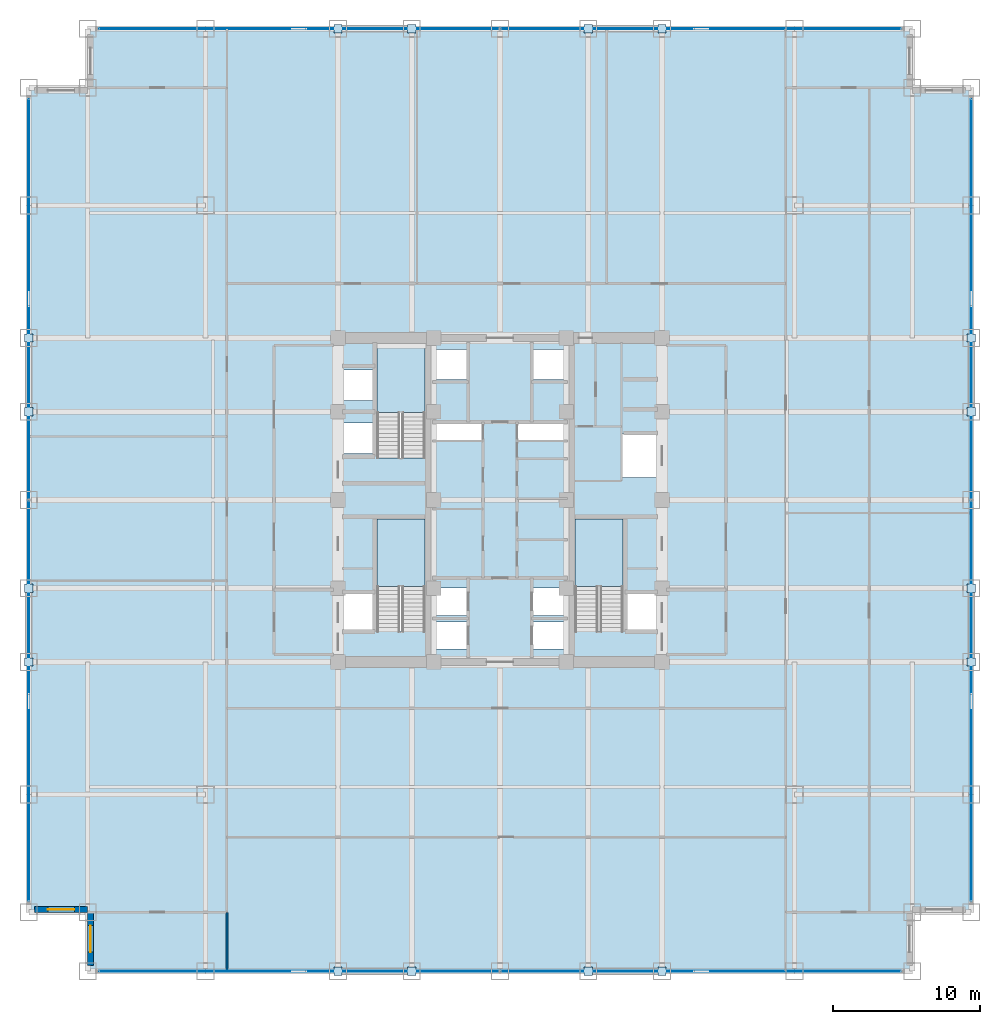
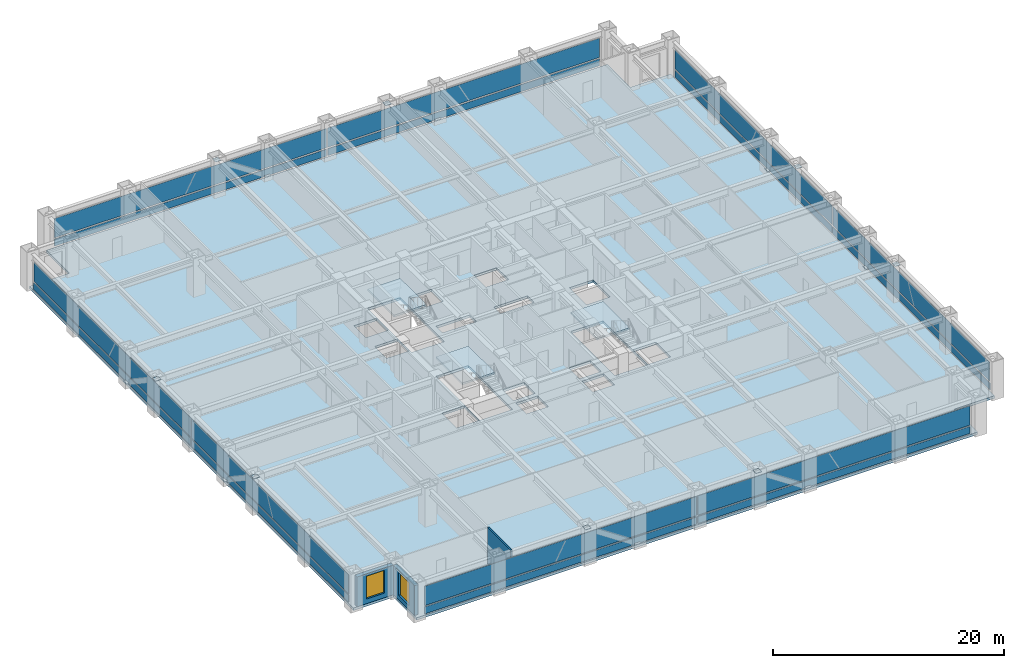
# One storey, part 22 of 28: 32 plates, 4 slabs, 3 walls, 2 windows, 2 openings, 7 elements without a shape of their own.
"""IFC4 building model written with IfcOpenShell, lengths in metres."""

from ifc_helpers import new_model, si_unit, direction, frame, frame_2d, origin, origin_2d, place, context, subcontext, project, spatial, polyline, rectangle, outline, extrude, source, transform, mapped, material, layer, layer_set, type_object, element, fill, aggregate, save


model = new_model("IFC4")

# Units and contexts
model_context = context("Model", 3, precision=1e-05, world=origin(), true_north=direction((0.0, 1.0)))
body_context = subcontext(model_context, "Body", "Model", "MODEL_VIEW")
ifc_project = project(units=[si_unit("LENGTHUNIT", "METRE"), si_unit("AREAUNIT", "SQUARE_METRE"), si_unit("VOLUMEUNIT", "CUBIC_METRE"), si_unit("PLANEANGLEUNIT", "RADIAN"), si_unit("MASSUNIT", "GRAM", prefix="KILO")], contexts=[model_context])

# Site, building, storey
site_placement = place(None, origin())
site = spatial("IfcSite", under=ifc_project, at=site_placement, CompositionType="ELEMENT")
building_placement = place(site_placement, origin())
building = spatial("IfcBuilding", under=site, at=building_placement, Name="Khorayat Bourse Tower", CompositionType="ELEMENT")
storey_placement = place(building_placement, frame((0.0, 0.0, 116.0)))
storey = spatial("IfcBuildingStorey", under=building, at=storey_placement, Name="L26", CompositionType="ELEMENT", Elevation=116.0)

# Stair, slab
ifc_material_1 = material(Name="Concrete C40/50", Category="concrete")
stair_type = type_object("IfcStairType", Name="STR-CORE-1550", PredefinedType="HALF_TURN_STAIR", material=ifc_material_1)
stair_1_placement = place(storey_placement, origin())
stair_1 = element("IfcStair", 1, at=stair_1_placement, inside=storey, type_object=stair_type, Name="L26 Exit Stair ST-1", PredefinedType="HALF_TURN_STAIR")
ifc_layer_1 = layer(ifc_material_1, 0.199951171875)
ifc_layer_set_1 = layer_set([ifc_layer_1], Name="Concrete C40/50")
slab_type_1 = type_object("IfcSlabType", Name="SLB-LANDING-200", PredefinedType="LANDING", material=ifc_layer_set_1)
slab_1_placement = place(storey_placement, frame((0.0, 0.0, 1.85009765625)))
slab_1 = element("IfcSlab", 2, at=slab_1_placement, type_object=slab_type_1, Name="ST-1 landing 1", PredefinedType="LANDING", context=body_context, shape_type="SweptSolid", body=[
    extrude(outline(polyline([(-5.10009765625, -5.8701171875), (-5.10009765625, -1.300048828125), (-8.35009765625, -1.300048828125), (-8.35009765625, -5.8701171875), (-5.10009765625, -5.8701171875)])), origin(), (0.0, 0.0, 1.0), 0.199951171875),
])
aggregate(stair_1, [slab_1])

stair_2_placement = place(storey_placement, origin())
stair_2 = element("IfcStair", 3, at=stair_2_placement, inside=storey, type_object=stair_type, Name="L26 Exit Stair ST-2", PredefinedType="HALF_TURN_STAIR")
slab_2_placement = place(storey_placement, frame((0.0, 0.0, 1.85009765625)))
slab_2 = element("IfcSlab", 4, at=slab_2_placement, type_object=slab_type_1, Name="ST-2 landing 1", PredefinedType="LANDING", context=body_context, shape_type="SweptSolid", body=[
    extrude(outline(polyline([(-5.10009765625, 5.929931640625), (-5.10009765625, 10.5), (-8.35009765625, 10.5), (-8.35009765625, 5.929931640625), (-5.10009765625, 5.929931640625)])), origin(), (0.0, 0.0, 1.0), 0.199951171875),
])
aggregate(stair_2, [slab_2])

stair_3_placement = place(storey_placement, origin())
stair_3 = element("IfcStair", 5, at=stair_3_placement, inside=storey, type_object=stair_type, Name="L26 Exit Stair ST-3", PredefinedType="HALF_TURN_STAIR")
slab_3_placement = place(storey_placement, frame((0.0, 0.0, 1.85009765625)))
slab_3 = element("IfcSlab", 6, at=slab_3_placement, type_object=slab_type_1, Name="ST-3 landing 1", PredefinedType="LANDING", context=body_context, shape_type="SweptSolid", body=[
    extrude(outline(polyline([(8.35009765625, -5.8701171875), (8.35009765625, -1.300048828125), (5.10009765625, -1.300048828125), (5.10009765625, -5.8701171875), (8.35009765625, -5.8701171875)])), origin(), (0.0, 0.0, 1.0), 0.199951171875),
])
aggregate(stair_3, [slab_3])

# Slab
ifc_layer_2 = layer(ifc_material_1, 0.260009765625)
ifc_layer_set_2 = layer_set([ifc_layer_2], Name="Concrete C40/50")
slab_type_2 = type_object("IfcSlabType", Name="SLB-TRADE-260", PredefinedType="FLOOR", material=ifc_layer_set_2)
slab_4_placement = place(storey_placement, frame((0.0, 0.0, -0.260009765625)))
element("IfcSlab", 7, at=slab_4_placement, inside=storey, type_object=slab_type_2, Name="L26 Main Floor Slab", PredefinedType="FLOOR", context=body_context, shape_type="SweptSolid", body=[
    extrude(outline(polyline([(-28.0, -32.0), (28.0, -32.0), (28.0, -28.0), (32.0, -28.0), (32.0, 28.0), (28.0, 28.0), (28.0, 32.0), (-28.0, 32.0), (-28.0, 28.0), (-32.0, 28.0), (-32.0, -28.0), (-28.0, -28.0), (-28.0, -32.0)]), holes=[polyline([(-8.35009765625, -8.945068359375), (-5.10009765625, -8.945068359375), (-5.10009765625, -1.300048828125), (-8.35009765625, -1.300048828125), (-8.35009765625, -8.945068359375)]), polyline([(-8.35009765625, 2.85498046875), (-5.10009765625, 2.85498046875), (-5.10009765625, 10.5), (-8.35009765625, 10.5), (-8.35009765625, 2.85498046875)]), polyline([(5.10009765625, -8.945068359375), (8.35009765625, -8.945068359375), (8.35009765625, -1.300048828125), (5.10009765625, -1.300048828125), (5.10009765625, -8.945068359375)]), polyline([(-4.3798828125, -10.1298828125), (-2.219970703125, -10.1298828125), (-2.219970703125, -8.27001953125), (-4.3798828125, -8.27001953125), (-4.3798828125, -10.1298828125)]), polyline([(2.219970703125, -10.1298828125), (4.3798828125, -10.1298828125), (4.3798828125, -8.27001953125), (2.219970703125, -8.27001953125), (2.219970703125, -10.1298828125)]), polyline([(-4.3798828125, -7.830078125), (-2.219970703125, -7.830078125), (-2.219970703125, -5.969970703125), (-4.3798828125, -5.969970703125), (-4.3798828125, -7.830078125)]), polyline([(2.219970703125, -7.830078125), (4.3798828125, -7.830078125), (4.3798828125, -5.969970703125), (2.219970703125, -5.969970703125), (2.219970703125, -7.830078125)]), polyline([(-4.3798828125, 8.169921875), (-2.1201171875, 8.169921875), (-2.1201171875, 10.22998046875), (-4.3798828125, 10.22998046875), (-4.3798828125, 8.169921875)]), polyline([(2.1201171875, 8.169921875), (4.3798828125, 8.169921875), (4.3798828125, 10.22998046875), (2.1201171875, 10.22998046875), (2.1201171875, 8.169921875)]), polyline([(-10.679931640625, 3.169921875), (-8.419921875, 3.169921875), (-8.419921875, 5.22998046875), (-10.679931640625, 5.22998046875), (-10.679931640625, 3.169921875)]), polyline([(-10.679931640625, 6.77001953125), (-8.419921875, 6.77001953125), (-8.419921875, 8.830078125), (-10.679931640625, 8.830078125), (-10.679931640625, 6.77001953125)]), polyline([(-10.679931640625, -8.929931640625), (-8.419921875, -8.929931640625), (-8.419921875, -6.3701171875), (-10.679931640625, -6.3701171875), (-10.679931640625, -8.929931640625)]), polyline([(8.419921875, -8.929931640625), (10.679931640625, -8.929931640625), (10.679931640625, -6.3701171875), (8.419921875, -6.3701171875), (8.419921875, -8.929931640625)]), polyline([(8.320068359375, 1.52001953125), (10.679931640625, 1.52001953125), (10.679931640625, 4.47998046875), (8.320068359375, 4.47998046875), (8.320068359375, 1.52001953125)]), polyline([(-4.56005859375, 4.080078125), (-1.18994140625, 4.080078125), (-1.18994140625, 5.219970703125), (-4.56005859375, 5.219970703125), (-4.56005859375, 4.080078125)]), polyline([(1.18994140625, 4.080078125), (4.56005859375, 4.080078125), (4.56005859375, 5.219970703125), (1.18994140625, 5.219970703125), (1.18994140625, 4.080078125)])]), origin(), (0.0, 0.0, 1.0), 0.260009765625),
])

# Plates
ifc_material_2 = material(Name="Steel EN 10025-2 S355J2", Category="steel")
ifc_layer_3 = layer(ifc_material_2, 0.02490234375)
ifc_layer_set_3 = layer_set([ifc_layer_3], Name="Steel EN 10025-2 S355J2")
plate_type_1 = type_object("IfcPlateType", Name="PLT-ENDCAP-25", PredefinedType="SHEET", material=ifc_layer_set_3)
shared_shape_1 = source(origin(), body_context, "Body", "SweptSolid", [
    extrude(rectangle(XDim=0.56005859375, YDim=0.56005859375, at=origin_2d()), origin(), (0.0, 0.0, 1.0), 0.02490234375),
])
for number, where, z_axis, x_axis, name in (
    (8, (-11.0, -32.0, 3.57763671875), (0.0, 0.0, 1.0), (1.0, 0.0, 0.0), "L26 Perimeter Brace End Plate 001"),
    (9, (-6.0, -32.0, 0.237548828125), (0.0, 0.0, 1.0), (1.0, 0.0, 0.0), "L26 Perimeter Brace End Plate 002"),
    (10, (6.0, -32.0, 3.57763671875), (0.0, 0.0, 1.0), (1.0, 0.0, 0.0), "L26 Perimeter Brace End Plate 003"),
    (11, (11.0, -32.0, 0.237548828125), (0.0, 0.0, 1.0), (1.0, 0.0, 0.0), "L26 Perimeter Brace End Plate 004"),
    (12, (-11.0, 32.0, 3.57763671875), (0.0, 0.0, 1.0), (1.0, 0.0, 0.0), "L26 Perimeter Brace End Plate 005"),
    (13, (-6.0, 32.0, 0.237548828125), (0.0, 0.0, 1.0), (1.0, 0.0, 0.0), "L26 Perimeter Brace End Plate 006"),
    (14, (6.0, 32.0, 3.57763671875), (0.0, 0.0, 1.0), (1.0, 0.0, 0.0), "L26 Perimeter Brace End Plate 007"),
    (15, (11.0, 32.0, 0.237548828125), (0.0, 0.0, 1.0), (1.0, 0.0, 0.0), "L26 Perimeter Brace End Plate 008"),
    (16, (-32.0, -11.0, 3.57763671875), (0.0, 0.0, 1.0), (1.0, 0.0, 0.0), "L26 Perimeter Brace End Plate 009"),
    (17, (-32.0, -6.0, 0.237548828125), (0.0, 0.0, 1.0), (1.0, 0.0, 0.0), "L26 Perimeter Brace End Plate 010"),
    (18, (-32.0, 6.0, 3.57763671875), (0.0, 0.0, 1.0), (1.0, 0.0, 0.0), "L26 Perimeter Brace End Plate 011"),
    (19, (-32.0, 11.0, 0.237548828125), (0.0, 0.0, 1.0), (1.0, 0.0, 0.0), "L26 Perimeter Brace End Plate 012"),
    (20, (32.0, -11.0, 3.57763671875), (0.0, 0.0, 1.0), (1.0, 0.0, 0.0), "L26 Perimeter Brace End Plate 013"),
    (21, (32.0, -6.0, 0.237548828125), (0.0, 0.0, 1.0), (1.0, 0.0, 0.0), "L26 Perimeter Brace End Plate 014"),
    (22, (32.0, 6.0, 3.57763671875), (0.0, 0.0, 1.0), (1.0, 0.0, 0.0), "L26 Perimeter Brace End Plate 015"),
    (23, (32.0, 11.0, 0.237548828125), (0.0, 0.0, 1.0), (1.0, 0.0, 0.0), "L26 Perimeter Brace End Plate 016"),
):
    element("IfcPlate", number, at=place(storey_placement, frame(where, z_axis=z_axis, x_axis=x_axis)), inside=storey, type_object=plate_type_1, Name=name, PredefinedType="SHEET", context=body_context, shape_type="MappedRepresentation", body=[
        mapped(shared_shape_1, transform((0.0, 0.0, 0.0), scale=1.0)),
    ])

# Curtain wall, plates
ifc_material_3 = material(Name="Aluminium EN AW-6063 T6", Category="aluminium")
curtain_wall_type = type_object("IfcCurtainWallType", Name="CW-SYS-02", PredefinedType="NOTDEFINED", material=ifc_material_3)
curtain_wall_1_placement = place(storey_placement, origin())
curtain_wall_1 = element("IfcCurtainWall", 24, at=curtain_wall_1_placement, inside=storey, type_object=curtain_wall_type, Name="L26 Curtain Wall CW-L26-S1", PredefinedType="NOTDEFINED")
ifc_material_4 = material(Name="Honed desert limestone insulated spandrel", Category="masonry")
ifc_layer_4 = layer(ifc_material_4, 0.06494140625)
ifc_layer_set_4 = layer_set([ifc_layer_4], Name="Honed desert limestone insulated spandrel")
plate_type_2 = type_object("IfcPlateType", Name="CWP-SPAND-03", PredefinedType="CURTAIN_PANEL", material=ifc_layer_set_4)
shared_shape_2 = source(origin(), body_context, "Body", "SweptSolid", [
    extrude(rectangle(XDim=27.139892578125, YDim=0.06494140625, at=origin_2d()), origin(), (0.0, 0.0, 1.0), 0.739990234375),
])
plate_1_placement = place(storey_placement, frame((-13.639892578125, -32.0, 0.14013671875), z_axis=(0.0, 0.0, 1.0), x_axis=(1.0, 0.0, 0.0)))
plate_1 = element("IfcPlate", 25, at=plate_1_placement, type_object=plate_type_2, Name="CW-L26-S1 Spandrel Panel 1-1", PredefinedType="CURTAIN_PANEL", context=body_context, shape_type="MappedRepresentation", body=[
    mapped(shared_shape_2, transform((0.0, 0.0, 0.0), scale=1.0)),
])
plate_2_placement = place(storey_placement, frame((13.639892578125, -32.0, 0.14013671875), z_axis=(0.0, 0.0, 1.0), x_axis=(1.0, 0.0, 0.0)))
plate_2 = element("IfcPlate", 26, at=plate_2_placement, type_object=plate_type_2, Name="CW-L26-S1 Spandrel Panel 2-1", PredefinedType="CURTAIN_PANEL", context=body_context, shape_type="MappedRepresentation", body=[
    mapped(shared_shape_2, transform((0.0, 0.0, 0.0), scale=1.0)),
])

curtain_wall_2_placement = place(storey_placement, origin())
curtain_wall_2 = element("IfcCurtainWall", 27, at=curtain_wall_2_placement, inside=storey, type_object=curtain_wall_type, Name="L26 Curtain Wall CW-L26-N1", PredefinedType="NOTDEFINED")
plate_3_placement = place(storey_placement, frame((-13.639892578125, 32.0, 0.14013671875), z_axis=(0.0, 0.0, 1.0), x_axis=(1.0, 0.0, 0.0)))
plate_3 = element("IfcPlate", 28, at=plate_3_placement, type_object=plate_type_2, Name="CW-L26-N1 Spandrel Panel 1-1", PredefinedType="CURTAIN_PANEL", context=body_context, shape_type="MappedRepresentation", body=[
    mapped(shared_shape_2, transform((0.0, 0.0, 0.0), scale=1.0)),
])
plate_4_placement = place(storey_placement, frame((13.639892578125, 32.0, 0.14013671875), z_axis=(0.0, 0.0, 1.0), x_axis=(1.0, 0.0, 0.0)))
plate_4 = element("IfcPlate", 29, at=plate_4_placement, type_object=plate_type_2, Name="CW-L26-N1 Spandrel Panel 2-1", PredefinedType="CURTAIN_PANEL", context=body_context, shape_type="MappedRepresentation", body=[
    mapped(shared_shape_2, transform((0.0, 0.0, 0.0), scale=1.0)),
])

curtain_wall_3_placement = place(storey_placement, origin())
curtain_wall_3 = element("IfcCurtainWall", 30, at=curtain_wall_3_placement, inside=storey, type_object=curtain_wall_type, Name="L26 Curtain Wall CW-L26-W1", PredefinedType="NOTDEFINED")
plate_5_placement = place(storey_placement, frame((-32.0, -13.639892578125, 0.14013671875), z_axis=(0.0, 0.0, 1.0), x_axis=(0.0, 1.0, 0.0)))
plate_5 = element("IfcPlate", 31, at=plate_5_placement, type_object=plate_type_2, Name="CW-L26-W1 Spandrel Panel 1-1", PredefinedType="CURTAIN_PANEL", context=body_context, shape_type="MappedRepresentation", body=[
    mapped(shared_shape_2, transform((0.0, 0.0, 0.0), scale=1.0)),
])
plate_6_placement = place(storey_placement, frame((-32.0, 13.639892578125, 0.14013671875), z_axis=(0.0, 0.0, 1.0), x_axis=(0.0, 1.0, 0.0)))
plate_6 = element("IfcPlate", 32, at=plate_6_placement, type_object=plate_type_2, Name="CW-L26-W1 Spandrel Panel 2-1", PredefinedType="CURTAIN_PANEL", context=body_context, shape_type="MappedRepresentation", body=[
    mapped(shared_shape_2, transform((0.0, 0.0, 0.0), scale=1.0)),
])

curtain_wall_4_placement = place(storey_placement, origin())
curtain_wall_4 = element("IfcCurtainWall", 33, at=curtain_wall_4_placement, inside=storey, type_object=curtain_wall_type, Name="L26 Curtain Wall CW-L26-E1", PredefinedType="NOTDEFINED")
plate_7_placement = place(storey_placement, frame((32.0, -13.639892578125, 0.14013671875), z_axis=(0.0, 0.0, 1.0), x_axis=(0.0, 1.0, 0.0)))
plate_7 = element("IfcPlate", 34, at=plate_7_placement, type_object=plate_type_2, Name="CW-L26-E1 Spandrel Panel 1-1", PredefinedType="CURTAIN_PANEL", context=body_context, shape_type="MappedRepresentation", body=[
    mapped(shared_shape_2, transform((0.0, 0.0, 0.0), scale=1.0)),
])
plate_8_placement = place(storey_placement, frame((32.0, 13.639892578125, 0.14013671875), z_axis=(0.0, 0.0, 1.0), x_axis=(0.0, 1.0, 0.0)))
plate_8 = element("IfcPlate", 35, at=plate_8_placement, type_object=plate_type_2, Name="CW-L26-E1 Spandrel Panel 2-1", PredefinedType="CURTAIN_PANEL", context=body_context, shape_type="MappedRepresentation", body=[
    mapped(shared_shape_2, transform((0.0, 0.0, 0.0), scale=1.0)),
])

# Plate
ifc_material_5 = material(Name="Low-E solar-control laminated double glazing", Category="glass")
ifc_layer_5 = layer(ifc_material_5, 0.0419921875)
ifc_layer_set_5 = layer_set([ifc_layer_5], Name="Low-E solar-control laminated double glazing")
plate_type_3 = type_object("IfcPlateType", Name="CWP-FACET-02", PredefinedType="CURTAIN_PANEL", material=ifc_layer_set_5)
shared_shape_3 = source(origin(), body_context, "Body", "SweptSolid", [
    extrude(rectangle(XDim=27.139892578125, YDim=0.0419921875, at=origin_2d()), origin(), (0.0, 0.0, 1.0), 2.030029296875),
])
plate_9_placement = place(storey_placement, frame((-13.639892578125, -32.0, 1.02001953125), z_axis=(0.0, 0.0, 1.0), x_axis=(1.0, 0.0, 0.0)))
plate_9 = element("IfcPlate", 36, at=plate_9_placement, type_object=plate_type_3, Name="CW-L26-S1 Vision Panel 1-2", PredefinedType="CURTAIN_PANEL", context=body_context, shape_type="MappedRepresentation", body=[
    mapped(shared_shape_3, transform((0.0, 0.0, 0.0), scale=1.0)),
])

plate_10_placement = place(storey_placement, frame((13.639892578125, -32.0, 1.02001953125), z_axis=(0.0, 0.0, 1.0), x_axis=(1.0, 0.0, 0.0)))
plate_10 = element("IfcPlate", 37, at=plate_10_placement, type_object=plate_type_3, Name="CW-L26-S1 Vision Panel 2-2", PredefinedType="CURTAIN_PANEL", context=body_context, shape_type="MappedRepresentation", body=[
    mapped(shared_shape_3, transform((0.0, 0.0, 0.0), scale=1.0)),
])

aggregate(curtain_wall_1, [plate_1, plate_9, plate_2, plate_10])

plate_11_placement = place(storey_placement, frame((-13.639892578125, 32.0, 1.02001953125), z_axis=(0.0, 0.0, 1.0), x_axis=(1.0, 0.0, 0.0)))
plate_11 = element("IfcPlate", 38, at=plate_11_placement, type_object=plate_type_3, Name="CW-L26-N1 Vision Panel 1-2", PredefinedType="CURTAIN_PANEL", context=body_context, shape_type="MappedRepresentation", body=[
    mapped(shared_shape_3, transform((0.0, 0.0, 0.0), scale=1.0)),
])

plate_12_placement = place(storey_placement, frame((13.639892578125, 32.0, 1.02001953125), z_axis=(0.0, 0.0, 1.0), x_axis=(1.0, 0.0, 0.0)))
plate_12 = element("IfcPlate", 39, at=plate_12_placement, type_object=plate_type_3, Name="CW-L26-N1 Vision Panel 2-2", PredefinedType="CURTAIN_PANEL", context=body_context, shape_type="MappedRepresentation", body=[
    mapped(shared_shape_3, transform((0.0, 0.0, 0.0), scale=1.0)),
])

aggregate(curtain_wall_2, [plate_3, plate_11, plate_4, plate_12])

plate_13_placement = place(storey_placement, frame((-32.0, -13.639892578125, 1.02001953125), z_axis=(0.0, 0.0, 1.0), x_axis=(0.0, 1.0, 0.0)))
plate_13 = element("IfcPlate", 40, at=plate_13_placement, type_object=plate_type_3, Name="CW-L26-W1 Vision Panel 1-2", PredefinedType="CURTAIN_PANEL", context=body_context, shape_type="MappedRepresentation", body=[
    mapped(shared_shape_3, transform((0.0, 0.0, 0.0), scale=1.0)),
])

plate_14_placement = place(storey_placement, frame((-32.0, 13.639892578125, 1.02001953125), z_axis=(0.0, 0.0, 1.0), x_axis=(0.0, 1.0, 0.0)))
plate_14 = element("IfcPlate", 41, at=plate_14_placement, type_object=plate_type_3, Name="CW-L26-W1 Vision Panel 2-2", PredefinedType="CURTAIN_PANEL", context=body_context, shape_type="MappedRepresentation", body=[
    mapped(shared_shape_3, transform((0.0, 0.0, 0.0), scale=1.0)),
])

aggregate(curtain_wall_3, [plate_5, plate_13, plate_6, plate_14])

plate_15_placement = place(storey_placement, frame((32.0, -13.639892578125, 1.02001953125), z_axis=(0.0, 0.0, 1.0), x_axis=(0.0, 1.0, 0.0)))
plate_15 = element("IfcPlate", 42, at=plate_15_placement, type_object=plate_type_3, Name="CW-L26-E1 Vision Panel 1-2", PredefinedType="CURTAIN_PANEL", context=body_context, shape_type="MappedRepresentation", body=[
    mapped(shared_shape_3, transform((0.0, 0.0, 0.0), scale=1.0)),
])

plate_16_placement = place(storey_placement, frame((32.0, 13.639892578125, 1.02001953125), z_axis=(0.0, 0.0, 1.0), x_axis=(0.0, 1.0, 0.0)))
plate_16 = element("IfcPlate", 43, at=plate_16_placement, type_object=plate_type_3, Name="CW-L26-E1 Vision Panel 2-2", PredefinedType="CURTAIN_PANEL", context=body_context, shape_type="MappedRepresentation", body=[
    mapped(shared_shape_3, transform((0.0, 0.0, 0.0), scale=1.0)),
])

aggregate(curtain_wall_4, [plate_7, plate_15, plate_8, plate_16])

# Wall, opening, window
ifc_material_6 = material(Name="Precast concrete C45/55", Category="concrete")
ifc_layer_6 = layer(ifc_material_6, 0.3798828125)
ifc_layer_set_6 = layer_set([ifc_layer_6], Name="Precast concrete C45/55")
wall_type_1 = type_object("IfcWallType", Name="WAL-EXT-STONE-380", PredefinedType="STANDARD", material=ifc_layer_set_6)
shared_shape_4 = source(origin(), body_context, "Body", "SweptSolid", [
    extrude(rectangle(XDim=3.6201171875, YDim=0.3798828125, at=frame_2d((1.81005859375, 0.0))), origin(), (0.0, 0.0, 1.0), 3.14501953125),
])
wall_1_placement = place(storey_placement, frame((-28.0, -27.81005859375, 0.0), z_axis=(0.0, 0.0, 1.0), x_axis=(-1.0, 0.0, 0.0)))
wall_1 = element("IfcWall", 44, at=wall_1_placement, inside=storey, type_object=wall_type_1, Name="L26 Re-Entrant Notch Limestone Wall SW-H", PredefinedType="STANDARD", context=body_context, shape_type="MappedRepresentation", body=[
    mapped(shared_shape_4, transform((0.0, 0.0, 0.0), scale=1.0)),
])
shared_shape_5 = source(origin(), body_context, "Body", "SweptSolid", [
    extrude(rectangle(XDim=1.800048828125, YDim=2.39990234375, at=frame_2d((0.89990234375, 1.199951171875))), frame((0.0, 0.199951171875, 0.0), z_axis=(0.0, -1.0, 0.0), x_axis=(1.0, 0.0, 0.0)), (0.0, 0.0, 1.0), 0.39990234375),
])
opening_1_placement = place(wall_1_placement, frame((0.909912109375, 0.0, 0.5)))
opening_1 = element("IfcOpeningElement", 45, at=opening_1_placement, cuts=wall_1, Name="Opening WN-04", PredefinedType="OPENING", context=body_context, shape_type="MappedRepresentation", body=[
    mapped(shared_shape_5, transform((0.0, 0.0, 0.0), scale=1.0)),
])
ifc_material_7 = material(Name="Low-E acoustic laminated double glazing", Category="glass")
window_type = type_object("IfcWindowType", Name="WIN-NOTCH-1800x2400", PartitioningType="SINGLE_PANEL", PredefinedType="WINDOW", material=ifc_material_7)
shared_shape_6 = source(origin(), body_context, "Body", "SweptSolid", [
    extrude(rectangle(XDim=1.800048828125, YDim=2.39990234375, at=frame_2d((0.89990234375, 1.199951171875))), frame((0.0, 0.030029296875, 0.0), z_axis=(0.0, -1.0, 0.0), x_axis=(1.0, 0.0, 0.0)), (0.0, 0.0, 1.0), 0.06005859375),
])
window_1_placement = place(opening_1_placement, origin())
window_1 = element("IfcWindow", 46, at=window_1_placement, inside=storey, type_object=window_type, Name="L26 Facade Window 1", OverallHeight=2.39990234375, OverallWidth=1.800048828125, PartitioningType="SINGLE_PANEL", PredefinedType="WINDOW", context=body_context, shape_type="MappedRepresentation", body=[
    mapped(shared_shape_6, transform((0.0, 0.0, 0.0), scale=1.0)),
])
fill(opening_1, window_1)

wall_2_placement = place(storey_placement, frame((-27.81005859375, -31.6201171875, 0.0), z_axis=(0.0, 0.0, 1.0), x_axis=(0.0, 1.0, 0.0)))
wall_2 = element("IfcWall", 47, at=wall_2_placement, inside=storey, type_object=wall_type_1, Name="L26 Re-Entrant Notch Limestone Wall SW-V", PredefinedType="STANDARD", context=body_context, shape_type="MappedRepresentation", body=[
    mapped(shared_shape_4, transform((0.0, 0.0, 0.0), scale=1.0)),
])
opening_2_placement = place(wall_2_placement, frame((0.909912109375, 0.0, 0.5)))
opening_2 = element("IfcOpeningElement", 48, at=opening_2_placement, cuts=wall_2, Name="Opening WN-04", PredefinedType="OPENING", context=body_context, shape_type="MappedRepresentation", body=[
    mapped(shared_shape_5, transform((0.0, 0.0, 0.0), scale=1.0)),
])
window_2_placement = place(opening_2_placement, origin())
window_2 = element("IfcWindow", 49, at=window_2_placement, inside=storey, type_object=window_type, Name="L26 Facade Window 1", OverallHeight=2.39990234375, OverallWidth=1.800048828125, PartitioningType="SINGLE_PANEL", PredefinedType="WINDOW", context=body_context, shape_type="MappedRepresentation", body=[
    mapped(shared_shape_6, transform((0.0, 0.0, 0.0), scale=1.0)),
])
fill(opening_2, window_2)

# Wall
ifc_material_8 = material(Name="Gypsum plasterboard twin-frame partition")
ifc_layer_7 = layer(ifc_material_8, 0.14990234375)
ifc_layer_set_7 = layer_set([ifc_layer_7], Name="Gypsum plasterboard twin-frame partition")
wall_type_2 = type_object("IfcWallType", Name="WAL-PART-SUITE-150", PredefinedType="PARTITIONING", material=ifc_layer_set_7)
shared_shape_7 = source(origin(), body_context, "Body", "SweptSolid", [
    extrude(rectangle(XDim=4.0, YDim=0.14990234375, at=frame_2d((2.0, 0.0))), origin(), (0.0, 0.0, 1.0), 3.840087890625),
])
wall_3_placement = place(storey_placement, frame((-18.550048828125, -32.0, 0.0), z_axis=(0.0, 0.0, 1.0), x_axis=(0.0, 1.0, 0.0)))
element("IfcWall", 50, at=wall_3_placement, inside=storey, type_object=wall_type_2, Name="L26 Partition WAL-L26-SCW-END", PredefinedType="PARTITIONING", context=body_context, shape_type="MappedRepresentation", body=[
    mapped(shared_shape_7, transform((0.0, 0.0, 0.0), scale=1.0)),
])

save(model, "model.ifc")
